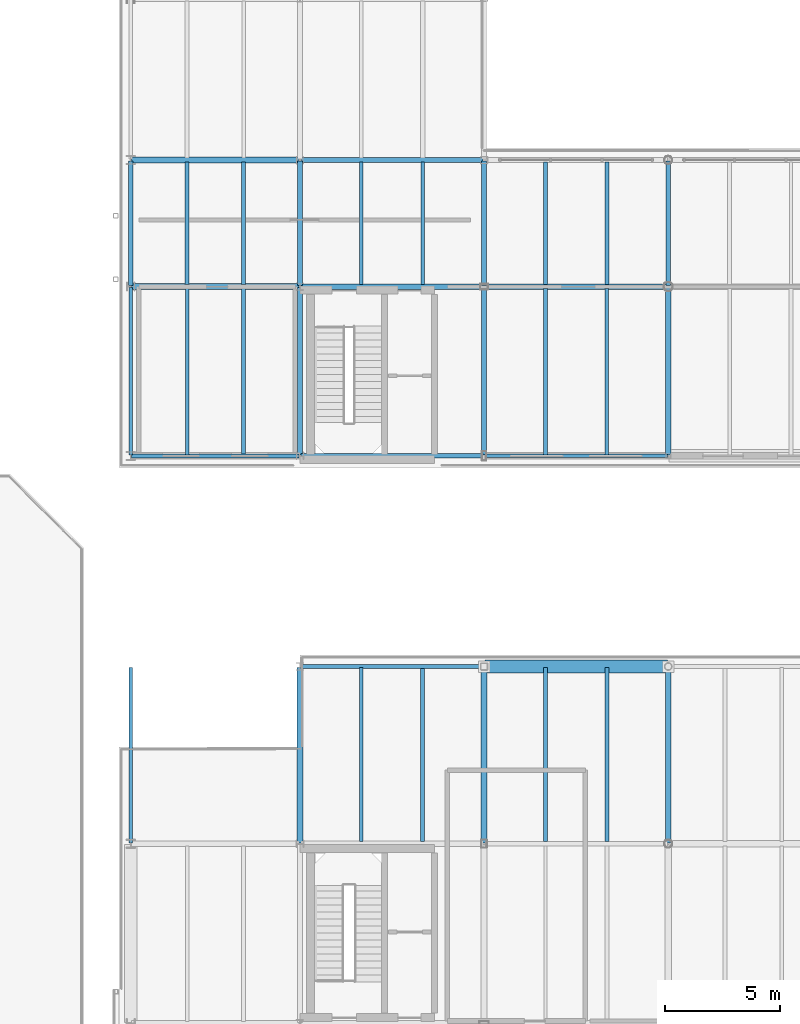
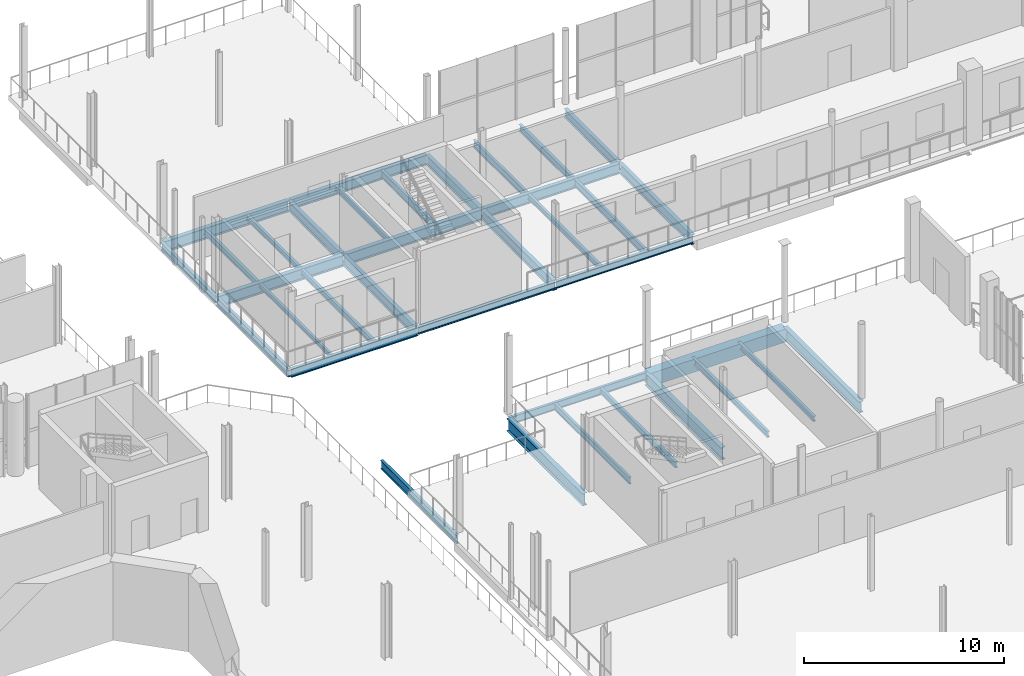
# One storey, part 52 of 93: 36 beams.
"""IFC4 building model written with IfcOpenShell, lengths in metres."""

from ifc_helpers import new_model, si_unit, direction, frame, origin, origin_2d, place, context, subcontext, project, spatial, rectangle, i_section, extrude, material, material_profile, profile_set, type_object, element, save


model = new_model("IFC4")

# Units and contexts
model_context = context("Model", 3, precision=1e-05, world=origin(), true_north=direction((0.0, 1.0)))
body_context = subcontext(model_context, "Body", "Model", "MODEL_VIEW")
ifc_project = project(units=[si_unit("LENGTHUNIT", "METRE"), si_unit("AREAUNIT", "SQUARE_METRE"), si_unit("VOLUMEUNIT", "CUBIC_METRE"), si_unit("PLANEANGLEUNIT", "RADIAN"), si_unit("MASSUNIT", "GRAM", prefix="KILO")], contexts=[model_context])

# Site, building, storey
site_placement = place(None, origin())
site = spatial("IfcSite", under=ifc_project, at=site_placement, CompositionType="ELEMENT")
building_placement = place(site_placement, origin())
building = spatial("IfcBuilding", under=site, at=building_placement, Name="Brisemont Oceanarium", CompositionType="ELEMENT")
storey_placement = place(building_placement, frame((0.0, 0.0, 5.39990234375)))
storey = spatial("IfcBuildingStorey", under=building, at=storey_placement, Name="L01", CompositionType="ELEMENT", Elevation=5.39990234375)

# Beams
ifc_material_1 = material(Name="Concrete C40/50", Category="concrete")
ifc_material_profile_1 = material_profile(ifc_material_1, rectangle(XDim=0.550048828125, YDim=0.800048828125, at=origin_2d()), Name="RC-BM-550X800")
ifc_profile_set_1 = profile_set([ifc_material_profile_1], Name="Concrete C40/50")
beam_type_1 = type_object("IfcBeamType", Name="BM-RC550X800", PredefinedType="SPANDREL", material=ifc_profile_set_1)
beam_1_placement = place(storey_placement, frame((128.0400390625, 71.5, -0.699951171875), z_axis=(1.0, 0.0, 0.0), x_axis=(0.0, 1.0, 0.0)))
element("IfcBeam", 1, at=beam_1_placement, inside=storey, type_object=beam_type_1, Name="V5E L01 EW girder", PredefinedType="SPANDREL", context=body_context, shape_type="SweptSolid", body=[
    extrude(rectangle(XDim=0.550048828125, YDim=0.800048828125, at=origin_2d()), origin(), (0.0, 0.0, 1.0), 7.919921875),
])
ifc_material_2 = material(Name="Structural Steel ASTM A992 Gr.50", Category="steel")
ifc_material_profile_2 = material_profile(ifc_material_2, i_section(OverallWidth=0.14599609375, OverallDepth=0.259033203125, WebThickness=0.006103515625, FlangeThickness=0.009033203125, FilletRadius=0.008056640625, at=origin_2d()), Name="W10X22")
ifc_profile_set_2 = profile_set([ifc_material_profile_2], Name="Structural Steel ASTM A992 Gr.50")
beam_type_2 = type_object("IfcBeamType", Name="BM-W10X22", PredefinedType="LINTEL", material=ifc_profile_set_2)
beam_2_placement = place(storey_placement, frame((115.10009765625, 80.68994140625, -0.429443359375), z_axis=(0.0, 1.0, 0.0), x_axis=(-1.0, 0.0, 0.0)))
element("IfcBeam", 2, at=beam_2_placement, inside=storey, type_object=beam_type_2, Name="V6 L01 secondary floor beam", PredefinedType="LINTEL", context=body_context, shape_type="SweptSolid", body=[
    extrude(i_section(OverallWidth=0.14599609375, OverallDepth=0.259033203125, WebThickness=0.006103515625, FlangeThickness=0.009033203125, FilletRadius=0.008056640625, at=origin_2d()), origin(), (0.0, 0.0, 1.0), 7.219970703125),
])
ifc_material_3 = material(Name="Structural Steel ASTM A992 Gr.50", Category="steel")
ifc_material_profile_3 = material_profile(ifc_material_3, i_section(OverallWidth=0.1650390625, OverallDepth=0.31005859375, WebThickness=0.005859375, FlangeThickness=0.009765625, FilletRadius=0.008056640625, at=origin_2d()), Name="W12X26")
ifc_profile_set_3 = profile_set([ifc_material_profile_3], Name="Structural Steel ASTM A992 Gr.50")
beam_type_3 = type_object("IfcBeamType", Name="BM-W12X26", PredefinedType="JOIST", material=ifc_profile_set_3)
beam_3_placement = place(storey_placement, frame((133.333251953125, 63.889892578125, -0.454833984375), z_axis=(0.0, 1.0, 0.0), x_axis=(-1.0, 0.0, 0.0)))
element("IfcBeam", 3, at=beam_3_placement, inside=storey, type_object=beam_type_3, Name="V5E L01 secondary floor beam", PredefinedType="JOIST", context=body_context, shape_type="SweptSolid", body=[
    extrude(i_section(OverallWidth=0.1650390625, OverallDepth=0.31005859375, WebThickness=0.005859375, FlangeThickness=0.009765625, FilletRadius=0.008056640625, at=origin_2d()), origin(), (0.0, 0.0, 1.0), 7.570068359375),
])
for number, where, z_axis, x_axis, name in (
    (4, (117.550048828125, 88.090087890625, -0.454833984375), (0.0, 1.0, 0.0), (-1.0, 0.0, 0.0), "V6 L01 secondary floor beam"),
    (5, (122.666748046875, 88.090087890625, -0.454833984375), (0.0, 1.0, 0.0), (-1.0, 0.0, 0.0), "V6 L01 secondary floor beam"),
):
    element("IfcBeam", number, at=place(storey_placement, frame(where, z_axis=z_axis, x_axis=x_axis)), inside=storey, type_object=beam_type_3, Name=name, PredefinedType="JOIST", context=body_context, shape_type="SweptSolid", body=[
        extrude(i_section(OverallWidth=0.1650390625, OverallDepth=0.31005859375, WebThickness=0.005859375, FlangeThickness=0.009765625, FilletRadius=0.008056640625, at=origin_2d()), origin(), (0.0, 0.0, 1.0), 5.31982421875),
    ])
beam_4_placement = place(storey_placement, frame((130.666748046875, 80.68994140625, -0.454833984375), z_axis=(0.0, 1.0, 0.0), x_axis=(-1.0, 0.0, 0.0)))
element("IfcBeam", 6, at=beam_4_placement, inside=storey, type_object=beam_type_3, Name="V6 L01 secondary floor beam", PredefinedType="JOIST", context=body_context, shape_type="SweptSolid", body=[
    extrude(i_section(OverallWidth=0.1650390625, OverallDepth=0.31005859375, WebThickness=0.005859375, FlangeThickness=0.009765625, FilletRadius=0.008056640625, at=origin_2d()), origin(), (0.0, 0.0, 1.0), 7.219970703125),
])
ifc_material_4 = material(Name="Structural Steel ASTM A992 Gr.50", Category="steel")
ifc_material_profile_4 = material_profile(ifc_material_4, i_section(OverallWidth=0.1708984375, OverallDepth=0.35107421875, WebThickness=0.0068359375, FlangeThickness=0.009765625, FilletRadius=0.010009765625, at=origin_2d()), Name="W14X30")
ifc_profile_set_4 = profile_set([ifc_material_profile_4], Name="Structural Steel ASTM A992 Gr.50")
beam_type_4 = type_object("IfcBeamType", Name="BM-W14X30", PredefinedType="JOIST", material=ifc_profile_set_4)
for number, where, z_axis, x_axis, name in (
    (7, (125.333251953125, 63.889892578125, -0.475341796875), (0.0, 1.0, 0.0), (-1.0, 0.0, 0.0), "V5E L01 secondary floor beam"),
    (8, (130.666748046875, 63.889892578125, -0.475341796875), (0.0, 1.0, 0.0), (-1.0, 0.0, 0.0), "V5E L01 secondary floor beam"),
):
    element("IfcBeam", number, at=place(storey_placement, frame(where, z_axis=z_axis, x_axis=x_axis)), inside=storey, type_object=beam_type_4, Name=name, PredefinedType="JOIST", context=body_context, shape_type="SweptSolid", body=[
        extrude(i_section(OverallWidth=0.1708984375, OverallDepth=0.35107421875, WebThickness=0.0068359375, FlangeThickness=0.009765625, FilletRadius=0.010009765625, at=origin_2d()), origin(), (0.0, 0.0, 1.0), 7.570068359375),
    ])
beam_5_placement = place(storey_placement, frame((117.550048828125, 80.68994140625, -0.475341796875), z_axis=(0.0, 1.0, 0.0), x_axis=(-1.0, 0.0, 0.0)))
element("IfcBeam", 9, at=beam_5_placement, inside=storey, type_object=beam_type_4, Name="V6 L01 secondary floor beam", PredefinedType="JOIST", context=body_context, shape_type="SweptSolid", body=[
    extrude(i_section(OverallWidth=0.1708984375, OverallDepth=0.35107421875, WebThickness=0.0068359375, FlangeThickness=0.009765625, FilletRadius=0.010009765625, at=origin_2d()), origin(), (0.0, 0.0, 1.0), 7.219970703125),
])
beam_6_placement = place(storey_placement, frame((115.10009765625, 88.090087890625, -0.475341796875), z_axis=(0.0, 1.0, 0.0), x_axis=(-1.0, 0.0, 0.0)))
element("IfcBeam", 10, at=beam_6_placement, inside=storey, type_object=beam_type_4, Name="V6 L01 secondary floor beam", PredefinedType="JOIST", context=body_context, shape_type="SweptSolid", body=[
    extrude(i_section(OverallWidth=0.1708984375, OverallDepth=0.35107421875, WebThickness=0.0068359375, FlangeThickness=0.009765625, FilletRadius=0.010009765625, at=origin_2d()), origin(), (0.0, 0.0, 1.0), 5.31982421875),
])
ifc_material_5 = material(Name="Structural Steel ASTM A992 Gr.50", Category="steel")
ifc_material_profile_5 = material_profile(ifc_material_5, i_section(OverallWidth=0.139892578125, OverallDepth=0.39892578125, WebThickness=0.00634765625, FlangeThickness=0.0087890625, FilletRadius=0.010009765625, at=origin_2d()), Name="W16X26")
ifc_profile_set_5 = profile_set([ifc_material_profile_5], Name="Structural Steel ASTM A992 Gr.50")
beam_type_5 = type_object("IfcBeamType", Name="BM-W16X26", PredefinedType="JOIST", material=ifc_profile_set_5)
beam_7_placement = place(storey_placement, frame((122.666748046875, 63.889892578125, -0.49951171875), z_axis=(0.0, 1.0, 0.0), x_axis=(-1.0, 0.0, 0.0)))
element("IfcBeam", 11, at=beam_7_placement, inside=storey, type_object=beam_type_5, Name="V5E L01 secondary floor beam", PredefinedType="JOIST", context=body_context, shape_type="SweptSolid", body=[
    extrude(i_section(OverallWidth=0.139892578125, OverallDepth=0.39892578125, WebThickness=0.00634765625, FlangeThickness=0.0087890625, FilletRadius=0.010009765625, at=origin_2d()), origin(), (0.0, 0.0, 1.0), 7.570068359375),
])
ifc_material_6 = material(Name="Structural Steel ASTM A992 Gr.50", Category="steel")
ifc_material_profile_6 = material_profile(ifc_material_6, i_section(OverallWidth=0.177978515625, OverallDepth=0.404052734375, WebThickness=0.007568359375, FlangeThickness=0.010986328125, FilletRadius=0.010009765625, at=origin_2d()), Name="W16X36")
ifc_profile_set_6 = profile_set([ifc_material_profile_6], Name="Structural Steel ASTM A992 Gr.50")
beam_type_6 = type_object("IfcBeamType", Name="BM-W16X36", PredefinedType="JOIST", material=ifc_profile_set_6)
beam_8_placement = place(storey_placement, frame((133.333251953125, 88.090087890625, -0.501953125), z_axis=(0.0, 1.0, 0.0), x_axis=(-1.0, 0.0, 0.0)))
element("IfcBeam", 12, at=beam_8_placement, inside=storey, type_object=beam_type_6, Name="V6 L01 secondary floor beam", PredefinedType="JOIST", context=body_context, shape_type="SweptSolid", body=[
    extrude(i_section(OverallWidth=0.177978515625, OverallDepth=0.404052734375, WebThickness=0.007568359375, FlangeThickness=0.010986328125, FilletRadius=0.010009765625, at=origin_2d()), origin(), (0.0, 0.0, 1.0), 5.31982421875),
])
ifc_material_7 = material(Name="Structural Steel ASTM A992 Gr.50", Category="steel")
ifc_material_profile_7 = material_profile(ifc_material_7, i_section(OverallWidth=0.153076171875, OverallDepth=0.455078125, WebThickness=0.008056640625, FlangeThickness=0.01318359375, FilletRadius=0.010986328125, at=origin_2d()), Name="W18X40")
ifc_profile_set_7 = profile_set([ifc_material_profile_7], Name="Structural Steel ASTM A992 Gr.50")
beam_type_7 = type_object("IfcBeamType", Name="BM-W18X40", PredefinedType="JOIST", material=ifc_profile_set_7)
beam_9_placement = place(storey_placement, frame((125.333251953125, 88.090087890625, -0.52734375), z_axis=(0.0, 1.0, 0.0), x_axis=(-1.0, 0.0, 0.0)))
element("IfcBeam", 13, at=beam_9_placement, inside=storey, type_object=beam_type_7, Name="V6 L01 secondary floor beam", PredefinedType="JOIST", context=body_context, shape_type="SweptSolid", body=[
    extrude(i_section(OverallWidth=0.153076171875, OverallDepth=0.455078125, WebThickness=0.008056640625, FlangeThickness=0.01318359375, FilletRadius=0.010986328125, at=origin_2d()), origin(), (0.0, 0.0, 1.0), 5.31982421875),
])
beam_10_placement = place(storey_placement, frame((133.333251953125, 80.68994140625, -0.52734375), z_axis=(0.0, 1.0, 0.0), x_axis=(-1.0, 0.0, 0.0)))
element("IfcBeam", 14, at=beam_10_placement, inside=storey, type_object=beam_type_7, Name="V6 L01 secondary floor beam", PredefinedType="JOIST", context=body_context, shape_type="SweptSolid", body=[
    extrude(i_section(OverallWidth=0.153076171875, OverallDepth=0.455078125, WebThickness=0.008056640625, FlangeThickness=0.01318359375, FilletRadius=0.010986328125, at=origin_2d()), origin(), (0.0, 0.0, 1.0), 7.219970703125),
])
beam_11_placement = place(storey_placement, frame((130.666748046875, 88.090087890625, -0.52734375), z_axis=(0.0, 1.0, 0.0), x_axis=(-1.0, 0.0, 0.0)))
element("IfcBeam", 15, at=beam_11_placement, inside=storey, type_object=beam_type_7, Name="V6 L01 secondary floor beam", PredefinedType="JOIST", context=body_context, shape_type="SweptSolid", body=[
    extrude(i_section(OverallWidth=0.153076171875, OverallDepth=0.455078125, WebThickness=0.008056640625, FlangeThickness=0.01318359375, FilletRadius=0.010986328125, at=origin_2d()), origin(), (0.0, 0.0, 1.0), 5.31982421875),
])
ifc_material_8 = material(Name="Structural Steel ASTM A992 Gr.50", Category="steel")
ifc_material_profile_8 = material_profile(ifc_material_8, i_section(OverallWidth=0.154052734375, OverallDepth=0.458984375, WebThickness=0.009033203125, FlangeThickness=0.015380859375, FilletRadius=0.010986328125, at=origin_2d()), Name="W18X46")
ifc_profile_set_8 = profile_set([ifc_material_profile_8], Name="Structural Steel ASTM A992 Gr.50")
beam_type_8 = type_object("IfcBeamType", Name="BM-W18X46", PredefinedType="SPANDREL", material=ifc_profile_set_8)
for number, where, z_axis, x_axis, name in (
    (16, (120.0400390625, 71.5, -0.529296875), (1.0, 0.0, 0.0), (0.0, 1.0, 0.0), "V5E L01 EW girder"),
    (17, (128.0400390625, 80.64990234375, -0.529296875), (1.0, 0.0, 0.0), (0.0, 1.0, 0.0), "V6 L01 EW girder"),
):
    element("IfcBeam", number, at=place(storey_placement, frame(where, z_axis=z_axis, x_axis=x_axis)), inside=storey, type_object=beam_type_8, Name=name, PredefinedType="SPANDREL", context=body_context, shape_type="SweptSolid", body=[
        extrude(i_section(OverallWidth=0.154052734375, OverallDepth=0.458984375, WebThickness=0.009033203125, FlangeThickness=0.015380859375, FilletRadius=0.010986328125, at=origin_2d()), origin(), (0.0, 0.0, 1.0), 7.919921875),
    ])
ifc_material_9 = material(Name="Structural Steel ASTM A992 Gr.50", Category="steel")
ifc_material_profile_9 = material_profile(ifc_material_9, i_section(OverallWidth=0.19091796875, OverallDepth=0.4599609375, WebThickness=0.010009765625, FlangeThickness=0.01611328125, FilletRadius=0.010986328125, at=origin_2d()), Name="W18X55")
ifc_profile_set_9 = profile_set([ifc_material_profile_9], Name="Structural Steel ASTM A992 Gr.50")
beam_type_9 = type_object("IfcBeamType", Name="BM-W18X55", PredefinedType="SPANDREL", material=ifc_profile_set_9)
beam_12_placement = place(storey_placement, frame((120.0400390625, 80.64990234375, -0.52978515625), z_axis=(1.0, 0.0, 0.0), x_axis=(0.0, 1.0, 0.0)))
element("IfcBeam", 18, at=beam_12_placement, inside=storey, type_object=beam_type_9, Name="V6 L01 EW girder", PredefinedType="SPANDREL", context=body_context, shape_type="SweptSolid", body=[
    extrude(i_section(OverallWidth=0.19091796875, OverallDepth=0.4599609375, WebThickness=0.010009765625, FlangeThickness=0.01611328125, FilletRadius=0.010986328125, at=origin_2d()), origin(), (0.0, 0.0, 1.0), 7.919921875),
])
beam_13_placement = place(storey_placement, frame((112.64990234375, 88.0400390625, -0.52978515625), z_axis=(0.0, 1.0, 0.0), x_axis=(-1.0, 0.0, 0.0)))
element("IfcBeam", 19, at=beam_13_placement, inside=storey, type_object=beam_type_9, Name="V6 L01 NS girder", PredefinedType="SPANDREL", context=body_context, shape_type="SweptSolid", body=[
    extrude(i_section(OverallWidth=0.19091796875, OverallDepth=0.4599609375, WebThickness=0.010009765625, FlangeThickness=0.01611328125, FilletRadius=0.010986328125, at=origin_2d()), origin(), (0.0, 0.0, 1.0), 5.419921875),
])
ifc_material_10 = material(Name="Structural Steel ASTM A992 Gr.50", Category="steel")
ifc_material_profile_10 = material_profile(ifc_material_10, i_section(OverallWidth=0.166015625, OverallDepth=0.528076171875, WebThickness=0.009765625, FlangeThickness=0.013671875, FilletRadius=0.012939453125, at=origin_2d()), Name="W21X50")
ifc_profile_set_10 = profile_set([ifc_material_profile_10], Name="Structural Steel ASTM A992 Gr.50")
beam_type_10 = type_object("IfcBeamType", Name="BM-W21X50", PredefinedType="SPANDREL", material=ifc_profile_set_10)
beam_14_placement = place(storey_placement, frame((112.64990234375, 63.840087890625, -0.56396484375), z_axis=(0.0, 1.0, 0.0), x_axis=(-1.0, 0.0, 0.0)))
element("IfcBeam", 20, at=beam_14_placement, inside=storey, type_object=beam_type_10, Name="V5E L01 NS girder", PredefinedType="SPANDREL", context=body_context, shape_type="SweptSolid", body=[
    extrude(i_section(OverallWidth=0.166015625, OverallDepth=0.528076171875, WebThickness=0.009765625, FlangeThickness=0.013671875, FilletRadius=0.012939453125, at=origin_2d()), origin(), (0.0, 0.0, 1.0), 7.619873046875),
])
for number, where, z_axis, x_axis, name in (
    (21, (112.68994140625, 80.64990234375, -0.56396484375), (1.0, 0.0, 0.0), (0.0, 1.0, 0.0), "V6 L01 EW girder"),
    (22, (112.64990234375, 80.68994140625, -0.56396484375), (0.0, 1.0, 0.0), (-1.0, 0.0, 0.0), "V6 L01 NS girder"),
):
    element("IfcBeam", number, at=place(storey_placement, frame(where, z_axis=z_axis, x_axis=x_axis)), inside=storey, type_object=beam_type_10, Name=name, PredefinedType="SPANDREL", context=body_context, shape_type="SweptSolid", body=[
        extrude(i_section(OverallWidth=0.166015625, OverallDepth=0.528076171875, WebThickness=0.009765625, FlangeThickness=0.013671875, FilletRadius=0.012939453125, at=origin_2d()), origin(), (0.0, 0.0, 1.0), 7.27001953125),
    ])
ifc_material_11 = material(Name="Structural Steel ASTM A992 Gr.50", Category="steel")
ifc_material_profile_11 = material_profile(ifc_material_11, i_section(OverallWidth=0.2099609375, OverallDepth=0.532958984375, WebThickness=0.01025390625, FlangeThickness=0.015625, FilletRadius=0.012939453125, at=origin_2d()), Name="W21X62")
ifc_profile_set_11 = profile_set([ifc_material_profile_11], Name="Structural Steel ASTM A992 Gr.50")
beam_type_11 = type_object("IfcBeamType", Name="BM-W21X62", PredefinedType="BEAM", material=ifc_profile_set_11)
beam_15_placement = place(storey_placement, frame((136.0, 88.0400390625, -0.56640625), z_axis=(0.0, 1.0, 0.0), x_axis=(-1.0, 0.0, 0.0)))
element("IfcBeam", 23, at=beam_15_placement, inside=storey, type_object=beam_type_11, Name="V6 L01 NS girder", PredefinedType="BEAM", context=body_context, shape_type="SweptSolid", body=[
    extrude(i_section(OverallWidth=0.2099609375, OverallDepth=0.532958984375, WebThickness=0.01025390625, FlangeThickness=0.015625, FilletRadius=0.012939453125, at=origin_2d()), origin(), (0.0, 0.0, 1.0), 5.419921875),
])
ifc_material_12 = material(Name="Structural Steel ASTM A992 Gr.50", Category="steel")
ifc_material_profile_12 = material_profile(ifc_material_12, i_section(OverallWidth=0.22802734375, OverallDepth=0.60205078125, WebThickness=0.010498046875, FlangeThickness=0.014892578125, FilletRadius=0.012939453125, at=origin_2d()), Name="W24X68")
ifc_profile_set_12 = profile_set([ifc_material_profile_12], Name="Structural Steel ASTM A992 Gr.50")
beam_type_12 = type_object("IfcBeamType", Name="BM-W24X68", PredefinedType="BEAM", material=ifc_profile_set_12)
beam_16_placement = place(storey_placement, frame((128.0, 88.0400390625, -0.600830078125), z_axis=(0.0, 1.0, 0.0), x_axis=(-1.0, 0.0, 0.0)))
element("IfcBeam", 24, at=beam_16_placement, inside=storey, type_object=beam_type_12, Name="V6 L01 NS girder", PredefinedType="BEAM", context=body_context, shape_type="SweptSolid", body=[
    extrude(i_section(OverallWidth=0.22802734375, OverallDepth=0.60205078125, WebThickness=0.010498046875, FlangeThickness=0.014892578125, FilletRadius=0.012939453125, at=origin_2d()), origin(), (0.0, 0.0, 1.0), 5.419921875),
])
beam_17_placement = place(storey_placement, frame((136.0, 80.68994140625, -0.600830078125), z_axis=(0.0, 1.0, 0.0), x_axis=(-1.0, 0.0, 0.0)))
element("IfcBeam", 25, at=beam_17_placement, inside=storey, type_object=beam_type_12, Name="V6 L01 NS girder", PredefinedType="BEAM", context=body_context, shape_type="SweptSolid", body=[
    extrude(i_section(OverallWidth=0.22802734375, OverallDepth=0.60205078125, WebThickness=0.010498046875, FlangeThickness=0.014892578125, FilletRadius=0.012939453125, at=origin_2d()), origin(), (0.0, 0.0, 1.0), 7.27001953125),
])
ifc_material_13 = material(Name="Structural Steel ASTM A992 Gr.50", Category="steel")
ifc_material_profile_13 = material_profile(ifc_material_13, i_section(OverallWidth=0.22802734375, OverallDepth=0.60791015625, WebThickness=0.01123046875, FlangeThickness=0.017333984375, FilletRadius=0.012939453125, at=origin_2d()), Name="W24X76")
ifc_profile_set_13 = profile_set([ifc_material_profile_13], Name="Structural Steel ASTM A992 Gr.50")
beam_type_13 = type_object("IfcBeamType", Name="BM-W24X76", PredefinedType="BEAM", material=ifc_profile_set_13)
beam_18_placement = place(storey_placement, frame((120.0, 88.0400390625, -0.60400390625), z_axis=(0.0, 1.0, 0.0), x_axis=(-1.0, 0.0, 0.0)))
element("IfcBeam", 26, at=beam_18_placement, inside=storey, type_object=beam_type_13, Name="V6 L01 NS girder", PredefinedType="BEAM", context=body_context, shape_type="SweptSolid", body=[
    extrude(i_section(OverallWidth=0.22802734375, OverallDepth=0.60791015625, WebThickness=0.01123046875, FlangeThickness=0.017333984375, FilletRadius=0.012939453125, at=origin_2d()), origin(), (0.0, 0.0, 1.0), 5.419921875),
])
beam_19_placement = place(storey_placement, frame((128.0, 80.68994140625, -0.60400390625), z_axis=(0.0, 1.0, 0.0), x_axis=(-1.0, 0.0, 0.0)))
element("IfcBeam", 27, at=beam_19_placement, inside=storey, type_object=beam_type_13, Name="V6 L01 NS girder", PredefinedType="BEAM", context=body_context, shape_type="SweptSolid", body=[
    extrude(i_section(OverallWidth=0.22802734375, OverallDepth=0.60791015625, WebThickness=0.01123046875, FlangeThickness=0.017333984375, FilletRadius=0.012939453125, at=origin_2d()), origin(), (0.0, 0.0, 1.0), 7.27001953125),
])
ifc_material_14 = material(Name="Structural Steel ASTM A992 Gr.50", Category="steel")
ifc_material_profile_14 = material_profile(ifc_material_14, i_section(OverallWidth=0.22900390625, OverallDepth=0.612060546875, WebThickness=0.011962890625, FlangeThickness=0.01953125, FilletRadius=0.012939453125, at=origin_2d()), Name="W24X84")
ifc_profile_set_14 = profile_set([ifc_material_profile_14], Name="Structural Steel ASTM A992 Gr.50")
beam_type_14 = type_object("IfcBeamType", Name="BM-W24X84", PredefinedType="BEAM", material=ifc_profile_set_14)
for number, where, z_axis, x_axis, name in (
    (28, (128.0400390625, 88.0, -0.60595703125), (1.0, 0.0, 0.0), (0.0, 1.0, 0.0), "V6 L01 EW girder"),
    (29, (120.0400390625, 93.5, -0.60595703125), (1.0, 0.0, 0.0), (0.0, 1.0, 0.0), "V6 L01 EW girder"),
):
    element("IfcBeam", number, at=place(storey_placement, frame(where, z_axis=z_axis, x_axis=x_axis)), inside=storey, type_object=beam_type_14, Name=name, PredefinedType="BEAM", context=body_context, shape_type="SweptSolid", body=[
        extrude(i_section(OverallWidth=0.22900390625, OverallDepth=0.612060546875, WebThickness=0.011962890625, FlangeThickness=0.01953125, FilletRadius=0.012939453125, at=origin_2d()), origin(), (0.0, 0.0, 1.0), 7.919921875),
    ])
beam_20_placement = place(storey_placement, frame((120.0, 80.68994140625, -0.60595703125), z_axis=(0.0, 1.0, 0.0), x_axis=(-1.0, 0.0, 0.0)))
element("IfcBeam", 30, at=beam_20_placement, inside=storey, type_object=beam_type_14, Name="V6 L01 NS girder", PredefinedType="BEAM", context=body_context, shape_type="SweptSolid", body=[
    extrude(i_section(OverallWidth=0.22900390625, OverallDepth=0.612060546875, WebThickness=0.011962890625, FlangeThickness=0.01953125, FilletRadius=0.012939453125, at=origin_2d()), origin(), (0.0, 0.0, 1.0), 7.27001953125),
])
ifc_material_15 = material(Name="Structural Steel ASTM A992 Gr.50", Category="steel")
ifc_material_profile_15 = material_profile(ifc_material_15, i_section(OverallWidth=0.2529296875, OverallDepth=0.677978515625, WebThickness=0.01171875, FlangeThickness=0.016357421875, FilletRadius=0.014892578125, at=origin_2d()), Name="W27X84")
ifc_profile_set_15 = profile_set([ifc_material_profile_15], Name="Structural Steel ASTM A992 Gr.50")
beam_type_15 = type_object("IfcBeamType", Name="BM-W27X84", PredefinedType="BEAM", material=ifc_profile_set_15)
beam_21_placement = place(storey_placement, frame((120.0400390625, 88.0, -0.638916015625), z_axis=(1.0, 0.0, 0.0), x_axis=(0.0, 1.0, 0.0)))
element("IfcBeam", 31, at=beam_21_placement, inside=storey, type_object=beam_type_15, Name="V6 L01 EW girder", PredefinedType="BEAM", context=body_context, shape_type="SweptSolid", body=[
    extrude(i_section(OverallWidth=0.2529296875, OverallDepth=0.677978515625, WebThickness=0.01171875, FlangeThickness=0.016357421875, FilletRadius=0.014892578125, at=origin_2d()), origin(), (0.0, 0.0, 1.0), 7.919921875),
])
beam_22_placement = place(storey_placement, frame((112.68994140625, 93.5, -0.638916015625), z_axis=(1.0, 0.0, 0.0), x_axis=(0.0, 1.0, 0.0)))
element("IfcBeam", 32, at=beam_22_placement, inside=storey, type_object=beam_type_15, Name="V6 L01 EW girder", PredefinedType="BEAM", context=body_context, shape_type="SweptSolid", body=[
    extrude(i_section(OverallWidth=0.2529296875, OverallDepth=0.677978515625, WebThickness=0.01171875, FlangeThickness=0.016357421875, FilletRadius=0.014892578125, at=origin_2d()), origin(), (0.0, 0.0, 1.0), 7.27001953125),
])
ifc_material_16 = material(Name="Structural Steel ASTM A992 Gr.50", Category="steel")
ifc_material_profile_16 = material_profile(ifc_material_16, i_section(OverallWidth=0.25390625, OverallDepth=0.68310546875, WebThickness=0.012451171875, FlangeThickness=0.018798828125, FilletRadius=0.014892578125, at=origin_2d()), Name="W27X94")
ifc_profile_set_16 = profile_set([ifc_material_profile_16], Name="Structural Steel ASTM A992 Gr.50")
beam_type_16 = type_object("IfcBeamType", Name="BM-W27X94", PredefinedType="BEAM", material=ifc_profile_set_16)
beam_23_placement = place(storey_placement, frame((136.0, 63.840087890625, -0.641357421875), z_axis=(0.0, 1.0, 0.0), x_axis=(-1.0, 0.0, 0.0)))
element("IfcBeam", 33, at=beam_23_placement, inside=storey, type_object=beam_type_16, Name="V5E L01 NS girder", PredefinedType="BEAM", context=body_context, shape_type="SweptSolid", body=[
    extrude(i_section(OverallWidth=0.25390625, OverallDepth=0.68310546875, WebThickness=0.012451171875, FlangeThickness=0.018798828125, FilletRadius=0.014892578125, at=origin_2d()), origin(), (0.0, 0.0, 1.0), 7.619873046875),
])
beam_24_placement = place(storey_placement, frame((112.68994140625, 88.0, -0.641357421875), z_axis=(1.0, 0.0, 0.0), x_axis=(0.0, 1.0, 0.0)))
element("IfcBeam", 34, at=beam_24_placement, inside=storey, type_object=beam_type_16, Name="V6 L01 EW girder", PredefinedType="BEAM", context=body_context, shape_type="SweptSolid", body=[
    extrude(i_section(OverallWidth=0.25390625, OverallDepth=0.68310546875, WebThickness=0.012451171875, FlangeThickness=0.018798828125, FilletRadius=0.014892578125, at=origin_2d()), origin(), (0.0, 0.0, 1.0), 7.27001953125),
])
ifc_material_17 = material(Name="Structural Steel ASTM A992 Gr.50", Category="steel")
ifc_material_profile_17 = material_profile(ifc_material_17, i_section(OverallWidth=0.26708984375, OverallDepth=0.761962890625, WebThickness=0.014404296875, FlangeThickness=0.021484375, FilletRadius=0.01611328125, at=origin_2d()), Name="W30X116")
ifc_profile_set_17 = profile_set([ifc_material_profile_17], Name="Structural Steel ASTM A992 Gr.50")
beam_type_17 = type_object("IfcBeamType", Name="BM-W30X116", PredefinedType="BEAM", material=ifc_profile_set_17)
beam_25_placement = place(storey_placement, frame((120.0, 63.840087890625, -0.680908203125), z_axis=(0.0, 1.0, 0.0), x_axis=(-1.0, 0.0, 0.0)))
element("IfcBeam", 35, at=beam_25_placement, inside=storey, type_object=beam_type_17, Name="V5E L01 NS girder", PredefinedType="BEAM", context=body_context, shape_type="SweptSolid", body=[
    extrude(i_section(OverallWidth=0.26708984375, OverallDepth=0.761962890625, WebThickness=0.014404296875, FlangeThickness=0.021484375, FilletRadius=0.01611328125, at=origin_2d()), origin(), (0.0, 0.0, 1.0), 7.619873046875),
])
ifc_material_18 = material(Name="Structural Steel ASTM A992 Gr.50", Category="steel")
ifc_material_profile_18 = material_profile(ifc_material_18, i_section(OverallWidth=0.264892578125, OverallDepth=0.7529296875, WebThickness=0.01318359375, FlangeThickness=0.01708984375, FilletRadius=0.01611328125, at=origin_2d()), Name="W30X99")
ifc_profile_set_18 = profile_set([ifc_material_profile_18], Name="Structural Steel ASTM A992 Gr.50")
beam_type_18 = type_object("IfcBeamType", Name="BM-W30X99", PredefinedType="BEAM", material=ifc_profile_set_18)
beam_26_placement = place(storey_placement, frame((128.0, 63.840087890625, -0.676513671875), z_axis=(0.0, 1.0, 0.0), x_axis=(-1.0, 0.0, 0.0)))
element("IfcBeam", 36, at=beam_26_placement, inside=storey, type_object=beam_type_18, Name="V5E L01 NS girder", PredefinedType="BEAM", context=body_context, shape_type="SweptSolid", body=[
    extrude(i_section(OverallWidth=0.264892578125, OverallDepth=0.7529296875, WebThickness=0.01318359375, FlangeThickness=0.01708984375, FilletRadius=0.01611328125, at=origin_2d()), origin(), (0.0, 0.0, 1.0), 7.619873046875),
])

save(model, "model.ifc")
